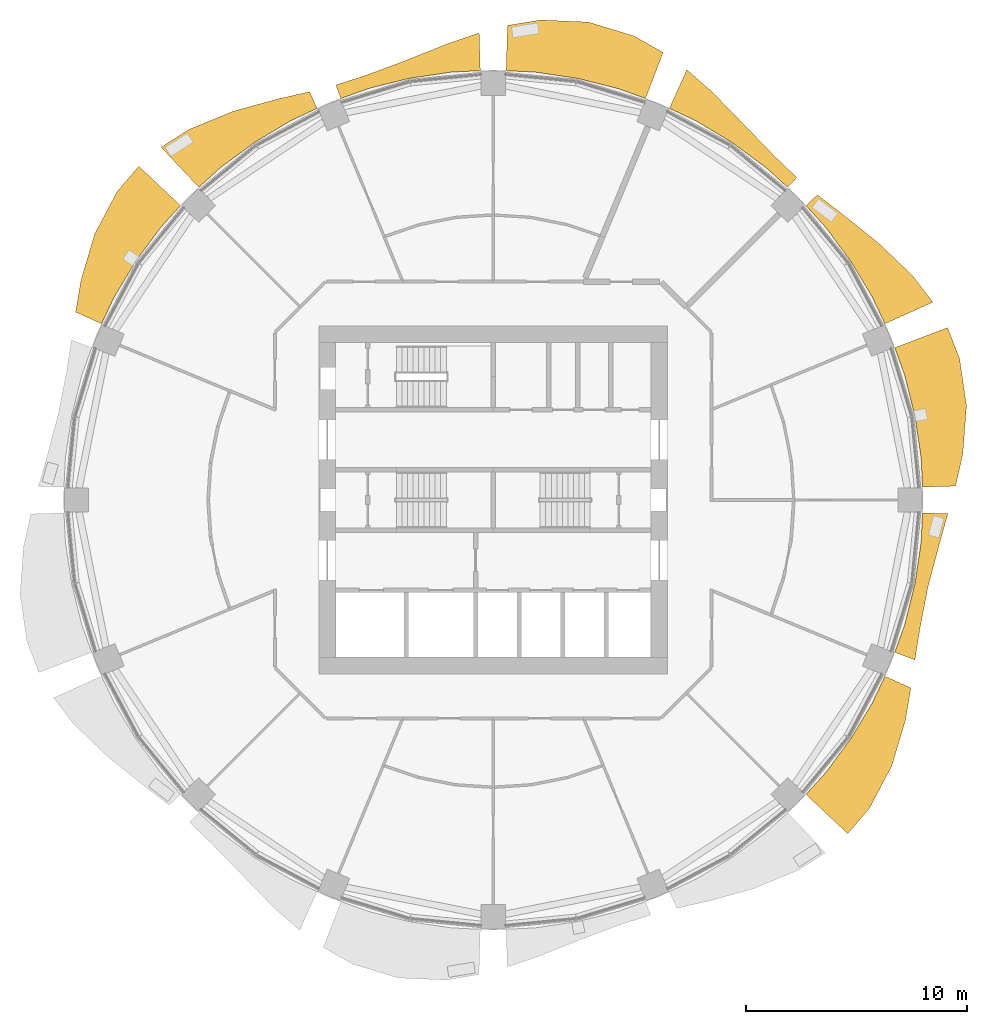
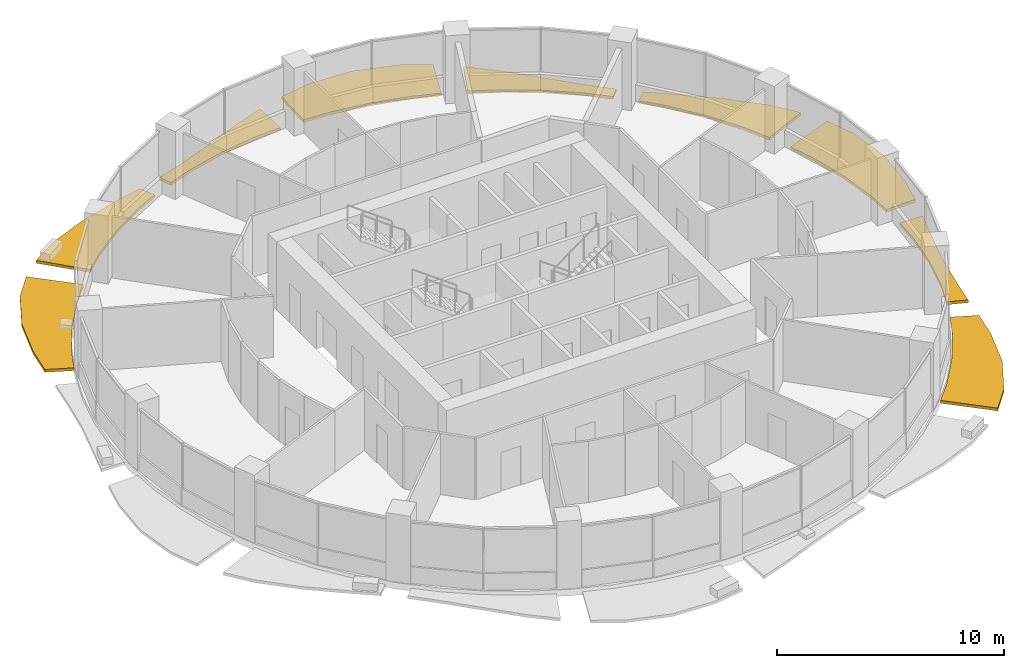
# One storey, part 14 of 15: 9 shading devices.
"""IFC4 building model written with IfcOpenShell, lengths in metres."""

from ifc_helpers import new_model, si_unit, direction, frame, origin, place, context, subcontext, project, spatial, polyline, outline, extrude, material, type_object, element, save


model = new_model("IFC4")

# Units and contexts
model_context = context("Model", 3, precision=1e-05, world=origin(), true_north=direction((0.0, 1.0)))
body_context = subcontext(model_context, "Body", "Model", "MODEL_VIEW")
ifc_project = project(units=[si_unit("LENGTHUNIT", "METRE"), si_unit("AREAUNIT", "SQUARE_METRE"), si_unit("VOLUMEUNIT", "CUBIC_METRE"), si_unit("PLANEANGLEUNIT", "RADIAN"), si_unit("MASSUNIT", "GRAM", prefix="KILO")], contexts=[model_context])

# Site, building, storey
site_placement = place(None, origin())
site = spatial("IfcSite", under=ifc_project, at=site_placement, CompositionType="ELEMENT")
building_placement = place(site_placement, origin())
building = spatial("IfcBuilding", under=site, at=building_placement, Name="Polderwave Tower", CompositionType="ELEMENT")
storey_placement = place(building_placement, frame((0.0, 0.0, 80.050048828125)))
storey = spatial("IfcBuildingStorey", under=building, at=storey_placement, Name="L20", CompositionType="ELEMENT", Elevation=80.050048828125)

# Shading devices
ifc_material = material(Name="Terracotta", Category="masonry")
shading_device_type = type_object("IfcShadingDeviceType", Name="Terracotta sunshade band", PredefinedType="USERDEFINED", material=ifc_material)
shading_device_1_placement = place(storey_placement, frame((0.0, 0.0, -0.35009765625)))
element("IfcShadingDevice", 1, at=shading_device_1_placement, inside=storey, type_object=shading_device_type, Name="Sunshade band L20 1", ObjectType="SUNSHADE", PredefinedType="USERDEFINED", context=body_context, shape_type="SweptSolid", body=[
    extrude(outline(polyline([(19.411376953125, 0.583740234375), (19.346435546875, 1.905517578125), (19.06640625, 3.79248046875), (18.602783203125, 5.64306640625), (18.156982421875, 6.88916015625), (20.541259765625, 7.793701171875), (21.0869140625, 6.396728515625), (21.398193359375, 4.25634765625), (21.234375, 2.09130859375), (20.90380859375, 0.628662109375), (19.411376953125, 0.583740234375)])), origin(), (0.0, 0.0, 1.0), 0.150146484375),
])
shading_device_2_placement = place(storey_placement, frame((0.0, 0.0, -0.35009765625)))
element("IfcShadingDevice", 2, at=shading_device_2_placement, inside=storey, type_object=shading_device_type, Name="Sunshade band L20 2", ObjectType="SUNSHADE", PredefinedType="USERDEFINED", context=body_context, shape_type="SweptSolid", body=[
    extrude(outline(polyline([(17.710205078125, 7.9677734375), (17.14453125, 9.1640625), (16.163818359375, 10.80029296875), (15.02734375, 12.33251953125), (14.138671875, 13.31298828125), (14.65380859375, 13.798095703125), (15.76953125, 12.941650390625), (17.40673828125, 11.630859375), (18.9658203125, 10.137451171875), (19.879638671875, 8.943603515625), (17.710205078125, 7.9677734375)])), origin(), (0.0, 0.0, 1.0), 0.150146484375),
])
shading_device_3_placement = place(storey_placement, frame((0.0, 0.0, -0.35009765625)))
element("IfcShadingDevice", 3, at=shading_device_3_placement, inside=storey, type_object=shading_device_type, Name="Sunshade band L20 3", ObjectType="SUNSHADE", PredefinedType="USERDEFINED", context=body_context, shape_type="SweptSolid", body=[
    extrude(outline(polyline([(13.31298828125, 14.138671875), (12.33251953125, 15.02734375), (10.80029296875, 16.163818359375), (9.1640625, 17.14453125), (7.9677734375, 17.710205078125), (8.752197265625, 19.4541015625), (9.875244140625, 18.475341796875), (11.33984375, 16.97119140625), (12.741943359375, 15.52587890625), (13.728515625, 14.57958984375), (13.31298828125, 14.138671875)])), origin(), (0.0, 0.0, 1.0), 0.150146484375),
])
shading_device_4_placement = place(storey_placement, frame((0.0, 0.0, -0.35009765625)))
element("IfcShadingDevice", 4, at=shading_device_4_placement, inside=storey, type_object=shading_device_type, Name="Sunshade band L20 4", ObjectType="SUNSHADE", PredefinedType="USERDEFINED", context=body_context, shape_type="SweptSolid", body=[
    extrude(outline(polyline([(6.88916015625, 18.156982421875), (5.64306640625, 18.602783203125), (3.79248046875, 19.06640625), (1.905517578125, 19.346435546875), (0.583740234375, 19.411376953125), (0.6455078125, 21.461181640625), (2.1376953125, 21.70361328125), (4.298583984375, 21.611083984375), (6.364501953125, 20.981201171875), (7.67919921875, 20.23974609375), (6.88916015625, 18.156982421875)])), origin(), (0.0, 0.0, 1.0), 0.150146484375),
])
shading_device_5_placement = place(storey_placement, frame((0.0, 0.0, -0.35009765625)))
element("IfcShadingDevice", 5, at=shading_device_5_placement, inside=storey, type_object=shading_device_type, Name="Sunshade band L20 5", ObjectType="SUNSHADE", PredefinedType="USERDEFINED", context=body_context, shape_type="SweptSolid", body=[
    extrude(outline(polyline([(-0.583740234375, 19.411376953125), (-1.905517578125, 19.346435546875), (-3.79248046875, 19.06640625), (-5.64306640625, 18.602783203125), (-6.88916015625, 18.156982421875), (-7.11962890625, 18.764892578125), (-5.818603515625, 19.18115234375), (-3.952880859375, 19.873291015625), (-2.033203125, 20.64306640625), (-0.635009765625, 21.117431640625), (-0.583740234375, 19.411376953125)])), origin(), (0.0, 0.0, 1.0), 0.150146484375),
])
shading_device_6_placement = place(storey_placement, frame((0.0, 0.0, -0.35009765625)))
element("IfcShadingDevice", 6, at=shading_device_6_placement, inside=storey, type_object=shading_device_type, Name="Sunshade band L20 6", ObjectType="SUNSHADE", PredefinedType="USERDEFINED", context=body_context, shape_type="SweptSolid", body=[
    extrude(outline(polyline([(-7.9677734375, 17.710205078125), (-9.1640625, 17.14453125), (-10.80029296875, 16.163818359375), (-12.33251953125, 15.02734375), (-13.31298828125, 14.138671875), (-15.02197265625, 15.953369140625), (-13.75341796875, 16.7587890625), (-11.74755859375, 17.58154296875), (-9.698974609375, 18.1455078125), (-8.3046875, 18.45947265625), (-7.9677734375, 17.710205078125)])), origin(), (0.0, 0.0, 1.0), 0.150146484375),
])
shading_device_7_placement = place(storey_placement, frame((0.0, 0.0, -0.35009765625)))
element("IfcShadingDevice", 7, at=shading_device_7_placement, inside=storey, type_object=shading_device_type, Name="Sunshade band L20 7", ObjectType="SUNSHADE", PredefinedType="USERDEFINED", context=body_context, shape_type="SweptSolid", body=[
    extrude(outline(polyline([(-14.138671875, 13.31298828125), (-15.02734375, 12.33251953125), (-16.163818359375, 10.80029296875), (-17.14453125, 9.1640625), (-17.710205078125, 7.9677734375), (-18.884765625, 8.49609375), (-18.635986328125, 9.961181640625), (-18.01708984375, 12.03857421875), (-17.002197265625, 13.953369140625), (-16.02734375, 15.091552734375), (-14.138671875, 13.31298828125)])), origin(), (0.0, 0.0, 1.0), 0.150146484375),
])
shading_device_8_placement = place(storey_placement, frame((0.0, 0.0, -0.35009765625)))
element("IfcShadingDevice", 8, at=shading_device_8_placement, inside=storey, type_object=shading_device_type, Name="Sunshade band L20 15", ObjectType="SUNSHADE", PredefinedType="USERDEFINED", context=body_context, shape_type="SweptSolid", body=[
    extrude(outline(polyline([(14.138671875, -13.31298828125), (15.02734375, -12.33251953125), (16.163818359375, -10.80029296875), (17.14453125, -9.1640625), (17.710205078125, -7.9677734375), (18.884765625, -8.49609375), (18.635986328125, -9.961181640625), (18.01708984375, -12.03857421875), (17.002197265625, -13.953369140625), (16.02734375, -15.091552734375), (14.138671875, -13.31298828125)])), origin(), (0.0, 0.0, 1.0), 0.150146484375),
])
shading_device_9_placement = place(storey_placement, frame((0.0, 0.0, -0.35009765625)))
element("IfcShadingDevice", 9, at=shading_device_9_placement, inside=storey, type_object=shading_device_type, Name="Sunshade band L20 16", ObjectType="SUNSHADE", PredefinedType="USERDEFINED", context=body_context, shape_type="SweptSolid", body=[
    extrude(outline(polyline([(18.156982421875, -6.88916015625), (18.602783203125, -5.64306640625), (19.06640625, -3.79248046875), (19.346435546875, -1.905517578125), (19.411376953125, -0.583740234375), (20.559814453125, -0.618408203125), (20.173828125, -1.987060546875), (19.660400390625, -3.91064453125), (19.286865234375, -5.8505859375), (19.06640625, -7.234130859375), (18.156982421875, -6.88916015625)])), origin(), (0.0, 0.0, 1.0), 0.150146484375),
])

save(model, "model.ifc")
